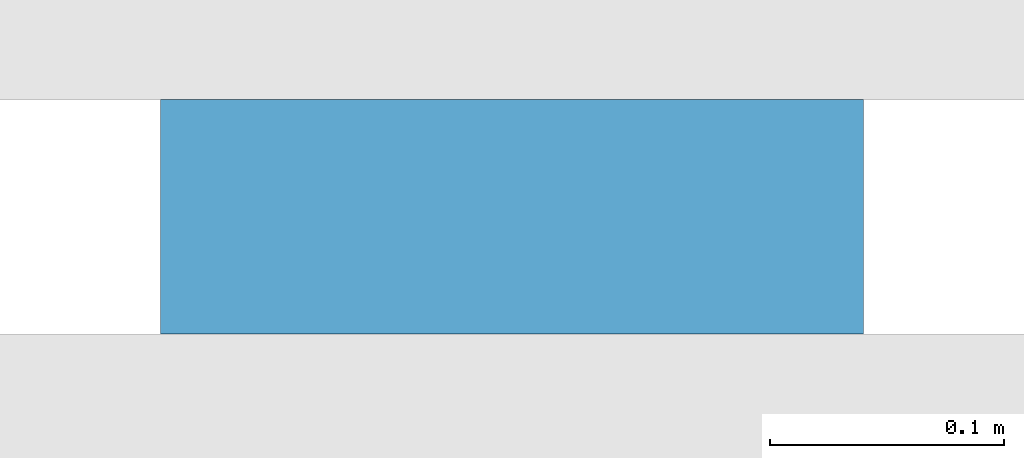
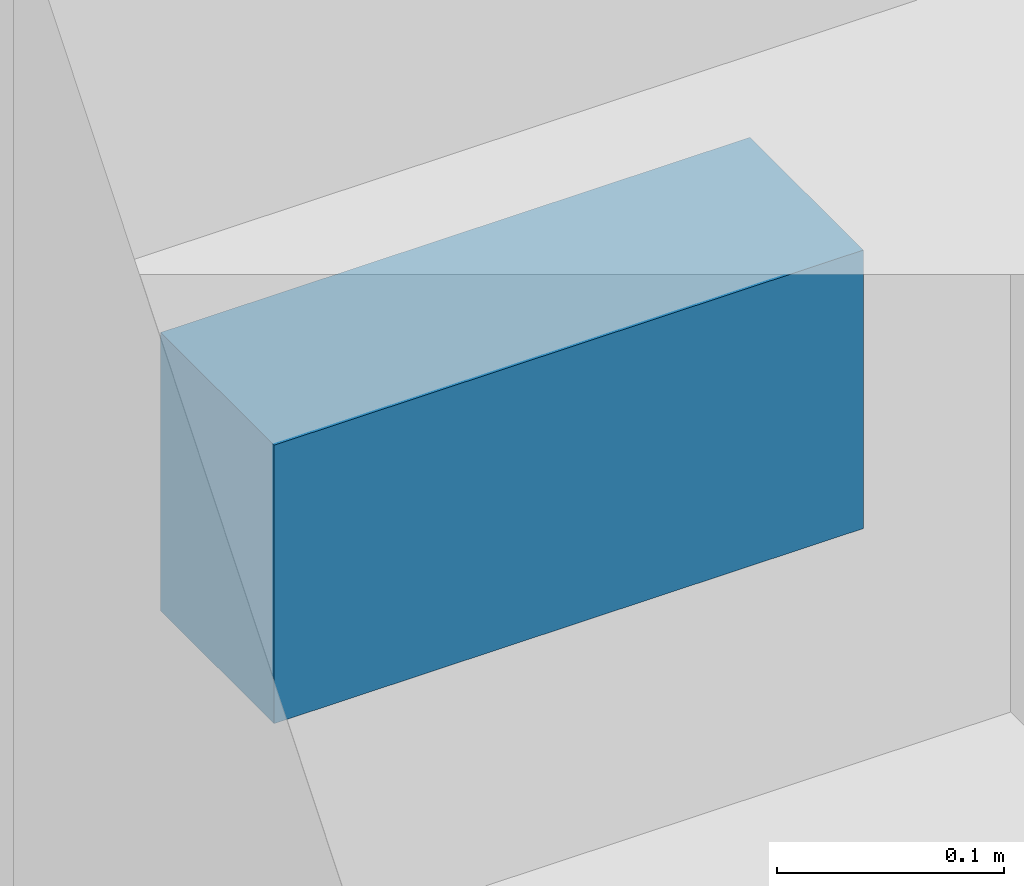
# One storey, part 39 of 43: 1 discrete accessory.
"""IFC4 building model written with IfcOpenShell, lengths in metres."""

from ifc_helpers import new_model, si_unit, direction, frame, origin, origin_2d, place, context, subcontext, project, spatial, rectangle, extrude, material, type_object, element, save


model = new_model("IFC4")

# Units and contexts
model_context = context("Model", 3, precision=1e-05, world=origin(), true_north=direction((0.0, 1.0)))
body_context = subcontext(model_context, "Body", "Model", "MODEL_VIEW")
ifc_project = project(units=[si_unit("LENGTHUNIT", "METRE"), si_unit("AREAUNIT", "SQUARE_METRE"), si_unit("VOLUMEUNIT", "CUBIC_METRE"), si_unit("PLANEANGLEUNIT", "RADIAN"), si_unit("MASSUNIT", "GRAM", prefix="KILO")], contexts=[model_context])

# Site, building, storey
site_placement = place(None, origin())
site = spatial("IfcSite", under=ifc_project, at=site_placement, CompositionType="ELEMENT")
building_placement = place(site_placement, origin())
building = spatial("IfcBuilding", under=site, at=building_placement, Name="Elmora Arch Market Hall", CompositionType="ELEMENT")
storey_placement = place(building_placement, frame((0.0, 0.0, 10.199951171875)))
storey = spatial("IfcBuildingStorey", under=building, at=storey_placement, Name="L02", CompositionType="ELEMENT", Elevation=10.199951171875)

# Discrete accessory
ifc_material = material(Name="Steel ASTM A653 galvanised", Category="steel")
discrete_accessory_type = type_object("IfcDiscreteAccessoryType", Name="Bracket plate 100x300x150", PredefinedType="BRACKET", material=ifc_material)
discrete_accessory_placement = place(storey_placement, frame((58.22509765625, 89.800048828125, 3.0751953125), z_axis=(0.0, 0.0, 1.0), x_axis=(1.0, 0.0, 0.0)))
element("IfcDiscreteAccessory", 1, at=discrete_accessory_placement, inside=storey, type_object=discrete_accessory_type, Name="Bracket HOOD-E-14-L02", PredefinedType="BRACKET", context=body_context, shape_type="SweptSolid", body=[
    extrude(rectangle(XDim=0.300048828125, YDim=0.10009765625, at=origin_2d()), origin(), (0.0, 0.0, 1.0), 0.14990234375),
])

save(model, "model.ifc")
